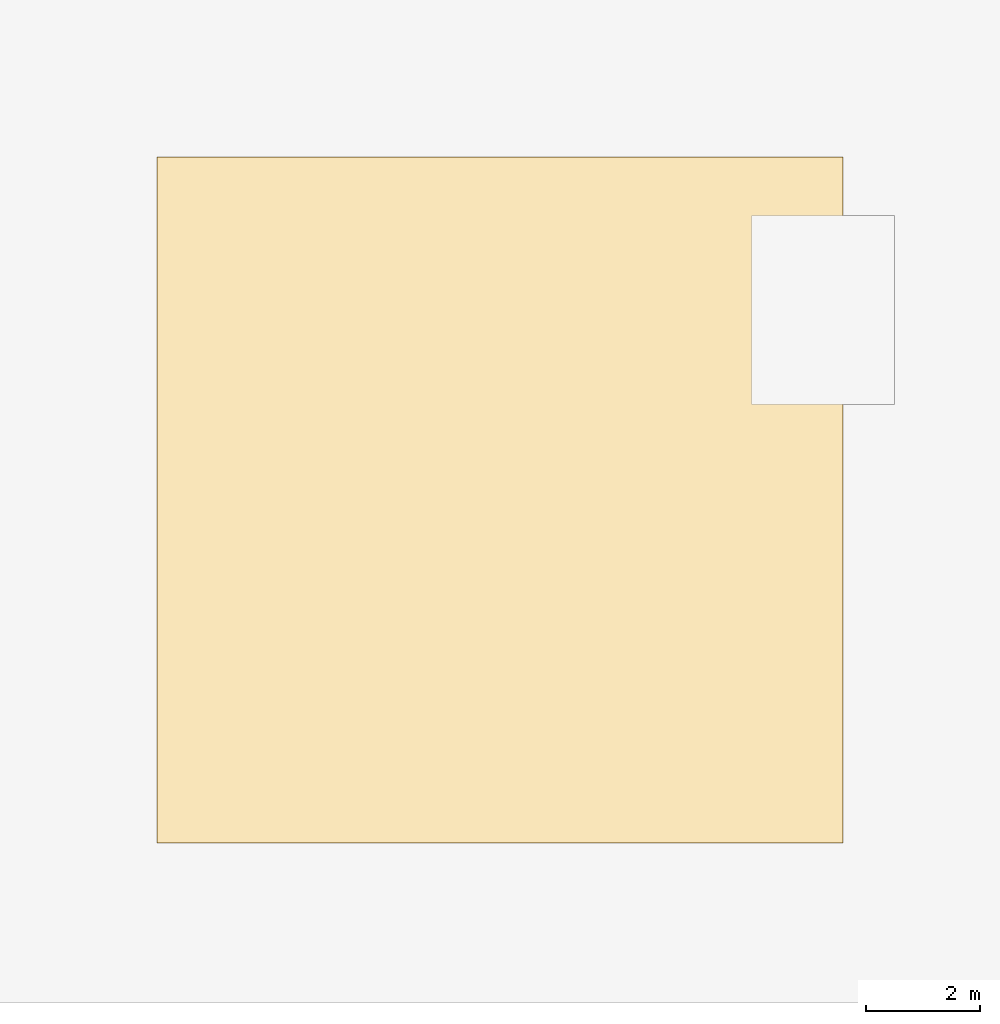
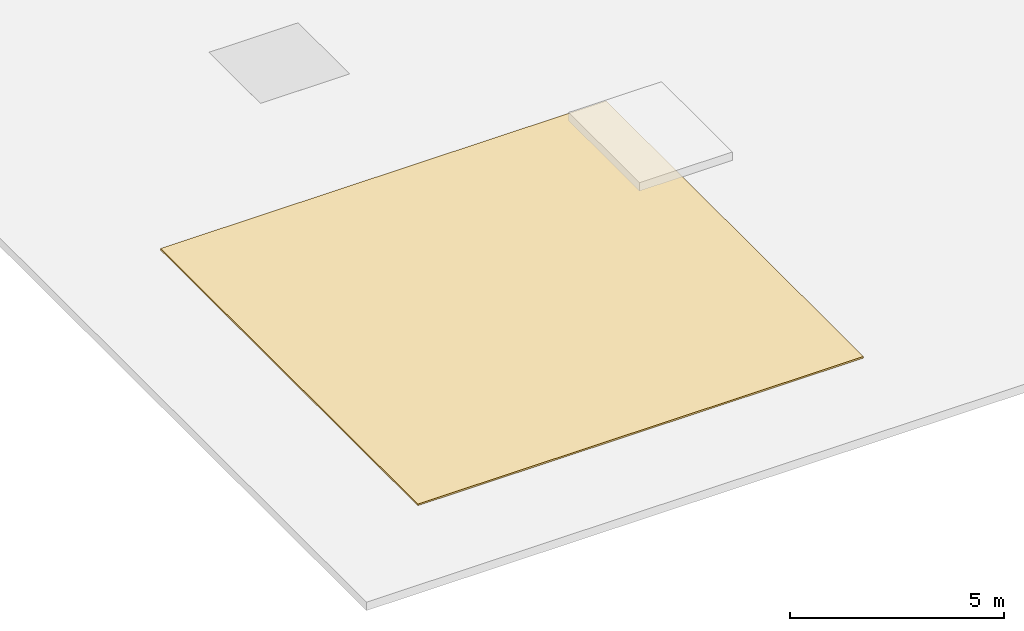
# One storey, part 2 of 2: 1 covering.
"""IFC4 building model written with IfcOpenShell, lengths in metres."""

import ifcopenshell
import ifcopenshell.guid

model = None  # the IFC model being written
_history = None  # IfcOwnerHistory: only IFC2X3 demands one
_inside = {}  # id of a spatial element -> (the spatial element, [elements in it])
_under = {}  # id of a project, library or spatial element -> (it, [spatial elements below it])
_declared = {}  # id of a project -> (the project, [libraries it declares])
_typed = {}  # id of a type object -> (the type object, [elements of that type])
_made_of = {}  # id of a material, layer set ... -> (it, [elements and type objects made of it])


def new_model(schema):
    """Start an empty IFC model of exactly this schema.

    Asked for "IFC4X3", IfcOpenShell would pick the latest addendum, in which some entities
    have other attributes; the version numbers below select the first issue.
    IFC2X3 requires an IfcOwnerHistory on every rooted entity: one is made here for all.
    """
    global model, _history
    if schema == "IFC4X3":
        model = ifcopenshell.file(schema_version=(4, 3, 0, 0))
    else:
        model = ifcopenshell.file(schema=schema)
    _inside.clear()
    _under.clear()
    _declared.clear()
    _typed.clear()
    _made_of.clear()
    _history = None
    if model.schema == "IFC2X3":
        org = make("IfcOrganization", Name="unknown")
        user = make(
            "IfcPersonAndOrganization",
            ThePerson=make("IfcPerson", FamilyName="unknown"),
            TheOrganization=org,
        )
        app = make(
            "IfcApplication",
            ApplicationDeveloper=org,
            Version="unknown",
            ApplicationFullName="unknown",
            ApplicationIdentifier="unknown",
        )
        _history = make(
            "IfcOwnerHistory",
            OwningUser=user,
            OwningApplication=app,
            ChangeAction="ADDED",
            CreationDate=0,
        )
    return model


def make(cls, **values):
    """One entity of the class cls with the attributes given. An attribute that is None is left unset."""
    return model.create_entity(
        cls, **{name: value for name, value in values.items() if value is not None}
    )


def rooted(cls, **values):
    """An entity with a GlobalId (a new one), such as an element, a storey or a relation."""
    return make(cls, GlobalId=ifcopenshell.guid.new(), OwnerHistory=_history, **values)


def si_unit(unit_type, name, prefix=None):
    """IfcSIUnit, for example si_unit("LENGTHUNIT", "METRE", prefix="MILLI")."""
    return make("IfcSIUnit", UnitType=unit_type, Prefix=prefix, Name=name)


def assignment(units):
    """IfcUnitAssignment: the units of a project."""
    return None if units is None else make("IfcUnitAssignment", Units=units)


def point(xyz):
    """IfcCartesianPoint."""
    return None if xyz is None else make("IfcCartesianPoint", Coordinates=xyz)


def direction(xyz):
    """IfcDirection."""
    return None if xyz is None else make("IfcDirection", DirectionRatios=xyz)


def frame(location, z_axis=None, x_axis=None):
    """IfcAxis2Placement3D, a coordinate frame: its origin and axes. An axis left out is left unset."""
    return make(
        "IfcAxis2Placement3D",
        Location=point(location),
        Axis=direction(z_axis),
        RefDirection=direction(x_axis),
    )


def origin():
    """The frame at (0, 0, 0) with its axes left unset."""
    return frame((0.0, 0.0, 0.0))


def place(relative_to, where):
    """IfcLocalPlacement: puts the frame where relative to a parent placement (None: the world)."""
    return make(
        "IfcLocalPlacement", PlacementRelTo=relative_to, RelativePlacement=where
    )


def context(
    kind, dimensions, precision=None, world=None, true_north=None, identifier=None
):
    """IfcGeometricRepresentationContext, for example the 3D "Model" context."""
    return make(
        "IfcGeometricRepresentationContext",
        ContextIdentifier=identifier,
        ContextType=kind,
        CoordinateSpaceDimension=dimensions,
        Precision=precision,
        WorldCoordinateSystem=world,
        TrueNorth=true_north,
    )


def subcontext(parent, identifier, kind, view, scale=None):
    """IfcGeometricRepresentationSubContext, for example "Body" below "Model"."""
    return make(
        "IfcGeometricRepresentationSubContext",
        ContextIdentifier=identifier,
        ContextType=kind,
        ParentContext=parent,
        TargetScale=scale,
        TargetView=view,
    )


def project(units=None, contexts=None):
    """IfcProject with its units and contexts."""
    return rooted(
        "IfcProject",
        Name="project",
        RepresentationContexts=contexts,
        UnitsInContext=assignment(units),
    )


def spatial(cls, under=None, at=None, **own):
    """A site, building, storey or space (cls), placed at a placement, below another one or the project."""
    s = rooted(cls, ObjectPlacement=at, **own)
    if under is not None:
        _under.setdefault(under.id(), (under, []))[1].append(s)
    return s


def polyline(points):
    """IfcPolyline through the points."""
    return make("IfcPolyline", Points=[point(p) for p in points])


def outline(outer, holes=None, kind="AREA"):
    """IfcArbitraryClosedProfileDef: a profile drawn as a closed curve; with holes, ...WithVoids."""
    if holes is None:
        return make("IfcArbitraryClosedProfileDef", ProfileType=kind, OuterCurve=outer)
    return make(
        "IfcArbitraryProfileDefWithVoids",
        ProfileType=kind,
        OuterCurve=outer,
        InnerCurves=holes,
    )


def extrude(swept, where, along, depth):
    """IfcExtrudedAreaSolid: the profile swept, set in the frame where, extruded along a direction by depth."""
    return make(
        "IfcExtrudedAreaSolid",
        SweptArea=swept,
        Position=where,
        ExtrudedDirection=direction(along),
        Depth=depth,
    )


def shape(context_of_items, identifier, shape_type, items):
    """IfcShapeRepresentation: the items that make up one representation, for example the "Body"."""
    return make(
        "IfcShapeRepresentation",
        ContextOfItems=context_of_items,
        RepresentationIdentifier=identifier,
        RepresentationType=shape_type,
        Items=items,
    )


def material(Name=None, Category=None):
    """IfcMaterial."""
    return make("IfcMaterial", Name=Name, Category=Category)


def layer(
    of_material, thickness, ventilated=None, Name=None, Category=None, Priority=None
):
    """IfcMaterialLayer: one layer of a wall or slab, of a material (None: an air gap)."""
    return make(
        "IfcMaterialLayer",
        Material=of_material,
        LayerThickness=thickness,
        IsVentilated=ventilated,
        Name=Name,
        Category=Category,
        Priority=Priority,
    )


def layer_set(layers, Name=None):
    """IfcMaterialLayerSet."""
    return make("IfcMaterialLayerSet", MaterialLayers=layers, LayerSetName=Name)


def made_of(thing, what):
    """Note that an element or type object is made of a material, layer set ...; save() writes the relation."""
    if what is not None:
        _made_of.setdefault(what.id(), (what, []))[1].append(thing)
    return thing


def type_object(cls, material=None, **own):
    """A type object (cls), such as IfcWallType, which elements share."""
    return made_of(rooted(cls, **own), material)


def element(
    cls,
    number,
    at=None,
    inside=None,
    cuts=None,
    type_object=None,
    material=None,
    context=None,
    identifier="Body",
    shape_type=None,
    held_by="IfcProductDefinitionShape",
    body=None,
    shapes=None,
    **own,
):
    """One element of the class cls, such as IfcWall. Its Tag is "e" and its number.

    at: its placement. inside: the storey or other place that contains it. cuts: it is an
    opening in that element (IfcRelVoidsElement). A single representation is given by context,
    identifier, shape_type and body (its items); several are given by shapes. held_by: the class
    of the entity that holds the representations. save() writes the other relations.
    """
    e = rooted(cls, Tag="e%d" % number, ObjectPlacement=at, **own)
    if body is not None:
        shapes = [shape(context, identifier, shape_type, body)]
    if shapes is not None:
        e.Representation = make(held_by, Representations=shapes)
    if inside is not None:
        _inside.setdefault(inside.id(), (inside, []))[1].append(e)
    if cuts is not None:
        rooted(
            "IfcRelVoidsElement", RelatingBuildingElement=cuts, RelatedOpeningElement=e
        )
    if type_object is not None:
        _typed.setdefault(type_object.id(), (type_object, []))[1].append(e)
    return made_of(e, material)


def aggregate(whole, parts):
    """IfcRelAggregates: a whole, such as a stair, and the parts it consists of."""
    return rooted("IfcRelAggregates", RelatingObject=whole, RelatedObjects=parts)


def save(model, path):
    """Write the relations noted so far, then the file.

    IfcRelAggregates (storeys below a building ...), IfcRelContainedInSpatialStructure (elements
    in a storey), IfcRelDefinesByType, IfcRelAssociatesMaterial and IfcRelDeclares: one each for
    every whole, place, type object, material and project.
    """
    for whole, parts in _under.values():
        aggregate(whole, parts)
    for where, things in _inside.values():
        rooted(
            "IfcRelContainedInSpatialStructure",
            RelatedElements=things,
            RelatingStructure=where,
        )
    for kind, things in _typed.values():
        rooted("IfcRelDefinesByType", RelatedObjects=things, RelatingType=kind)
    for what, things in _made_of.values():
        rooted("IfcRelAssociatesMaterial", RelatedObjects=things, RelatingMaterial=what)
    for by, libraries in _declared.values():
        rooted("IfcRelDeclares", RelatingContext=by, RelatedDefinitions=libraries)
    model.write(path)


model = new_model("IFC4")

# Units and contexts
model_context = context("Model", 3, precision=1e-05, world=origin(), true_north=direction((0.0, 1.0)))
body_context = subcontext(model_context, "Body", "Model", "MODEL_VIEW")
ifc_project = project(units=[si_unit("LENGTHUNIT", "METRE"), si_unit("AREAUNIT", "SQUARE_METRE"), si_unit("VOLUMEUNIT", "CUBIC_METRE"), si_unit("PLANEANGLEUNIT", "RADIAN"), si_unit("MASSUNIT", "GRAM", prefix="KILO")], contexts=[model_context])

# Site, building, storey
site_placement = place(None, origin())
site = spatial("IfcSite", under=ifc_project, at=site_placement, CompositionType="ELEMENT")
building_placement = place(site_placement, origin())
building = spatial("IfcBuilding", under=site, at=building_placement, Name="Mazaris Harbour Polytechnic", CompositionType="ELEMENT")
storey_placement = place(building_placement, frame((0.0, 0.0, 26.39990234375)))
storey = spatial("IfcBuildingStorey", under=building, at=storey_placement, Name="ROOF", CompositionType="ELEMENT", Elevation=26.39990234375)

# Covering
ifc_material = material(Name="Patinated Standing-Seam Zinc")
ifc_layer = layer(ifc_material, 0.044921875, Name="Patinated Standing-Seam Zinc")
ifc_layer_set = layer_set([ifc_layer], Name="Patinated Standing-Seam Zinc")
covering_type = type_object("IfcCoveringType", Name="Standing-Seam Zinc Roof Covering 45", PredefinedType="ROOFING", material=ifc_layer_set)
covering_placement = place(storey_placement, origin())
element("IfcCovering", 1, at=covering_placement, inside=storey, type_object=covering_type, Name="Covering COV-RF-01", PredefinedType="ROOFING", context=body_context, shape_type="SweptSolid", body=[
    extrude(outline(polyline([(1.0, 8.0), (13.0, 8.0), (13.0, 20.0), (1.0, 20.0), (1.0, 8.0)])), origin(), (0.0, 0.0, 1.0), 0.045166015625),
])

save(model, "model.ifc")
